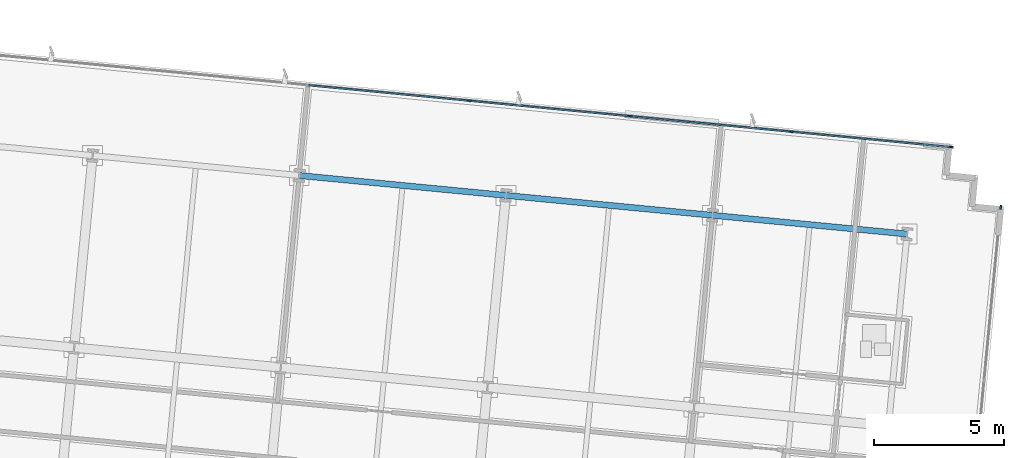
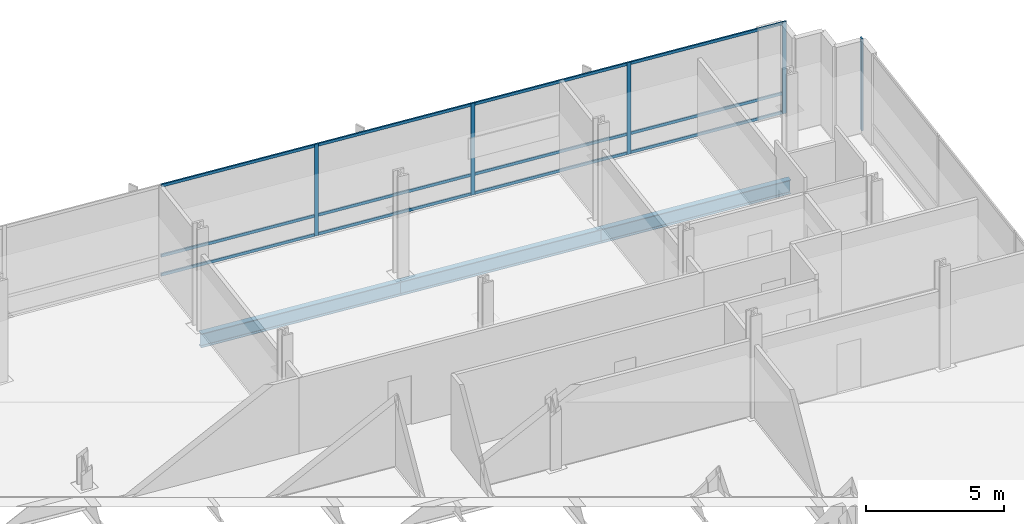
# One storey, part 9 of 17: 17 members, 3 beams, 2 elements without a shape of their own.
"""IFC4 building model written with IfcOpenShell, lengths in metres."""

from ifc_helpers import new_model, si_unit, direction, frame, origin, origin_2d, place, context, subcontext, project, spatial, rectangle, i_section, extrude, material, material_profile, profile_set, type_object, element, aggregate, save


model = new_model("IFC4")

# Units and contexts
model_context = context("Model", 3, precision=1e-05, world=origin(), true_north=direction((0.0, 1.0)))
body_context = subcontext(model_context, "Body", "Model", "MODEL_VIEW")
ifc_project = project(units=[si_unit("LENGTHUNIT", "METRE"), si_unit("AREAUNIT", "SQUARE_METRE"), si_unit("VOLUMEUNIT", "CUBIC_METRE"), si_unit("PLANEANGLEUNIT", "RADIAN"), si_unit("MASSUNIT", "GRAM", prefix="KILO")], contexts=[model_context])

# Site, building, storey
site_placement = place(None, origin())
site = spatial("IfcSite", under=ifc_project, at=site_placement, CompositionType="ELEMENT")
building_placement = place(site_placement, origin())
building = spatial("IfcBuilding", under=site, at=building_placement, Name="Solmavex Isthmus Hotel", CompositionType="ELEMENT")
storey_placement = place(building_placement, frame((0.0, 0.0, 181.800048828125)))
storey = spatial("IfcBuildingStorey", under=building, at=storey_placement, Name="L49", CompositionType="ELEMENT", Elevation=181.800048828125)

# Beams
ifc_material_1 = material(Name="Steel ASTM A992 Grade 50", Category="steel")
ifc_material_profile_1 = material_profile(ifc_material_1, i_section(OverallWidth=0.230224609375, OverallDepth=0.617431640625, WebThickness=0.01318359375, FlangeThickness=0.022216796875, FilletRadius=0.01513671875, at=origin_2d()), Name="W24X94")
ifc_profile_set_1 = profile_set([ifc_material_profile_1], Name="Steel ASTM A992 Grade 50")
beam_type = type_object("IfcBeamType", Name="BM-SP-W24X94", PredefinedType="SPANDREL", material=ifc_profile_set_1)
beam_1_placement = place(storey_placement, frame((1.276123046875, 18.72900390625, -0.56884765625), z_axis=(0.995397158178, -0.095835783981, 0.0), x_axis=(0.095835783981, 0.995397158178, 0.0)))
element("IfcBeam", 1, at=beam_1_placement, inside=storey, type_object=beam_type, Name="Floor Girder L49-UG18", PredefinedType="SPANDREL", context=body_context, shape_type="SweptSolid", body=[
    extrude(i_section(OverallWidth=0.230224609375, OverallDepth=0.617431640625, WebThickness=0.01318359375, FlangeThickness=0.022216796875, FilletRadius=0.01513671875, at=origin_2d()), origin(), (0.0, 0.0, 1.0), 7.955810546875),
])
beam_2_placement = place(storey_placement, frame((9.1953125, 17.966552734375, -0.56884765625), z_axis=(0.995397440011, -0.095832856685, 0.0), x_axis=(0.095832856685, 0.995397440011, 0.0)))
element("IfcBeam", 2, at=beam_2_placement, inside=storey, type_object=beam_type, Name="Floor Girder L49-UG19", PredefinedType="SPANDREL", context=body_context, shape_type="SweptSolid", body=[
    extrude(i_section(OverallWidth=0.230224609375, OverallDepth=0.617431640625, WebThickness=0.01318359375, FlangeThickness=0.022216796875, FilletRadius=0.01513671875, at=origin_2d()), origin(), (0.0, 0.0, 1.0), 7.9560546875),
])
beam_3_placement = place(storey_placement, frame((17.11474609375, 17.2041015625, -0.56884765625), z_axis=(0.995395279593, -0.095855293875, 0.0), x_axis=(0.095855293875, 0.995395279593, 0.0)))
element("IfcBeam", 3, at=beam_3_placement, inside=storey, type_object=beam_type, Name="Floor Girder L49-UG20", PredefinedType="SPANDREL", context=body_context, shape_type="SweptSolid", body=[
    extrude(i_section(OverallWidth=0.230224609375, OverallDepth=0.617431640625, WebThickness=0.01318359375, FlangeThickness=0.022216796875, FilletRadius=0.01513671875, at=origin_2d()), origin(), (0.0, 0.0, 1.0), 7.488037109375),
])

# Curtain wall, members
ifc_material_2 = material(Name="Aluminium alloy 6063-T6", Category="aluminium")
curtain_wall_type = type_object("IfcCurtainWallType", Name="CW-SYS-05", PredefinedType="NOTDEFINED", material=ifc_material_2)
curtain_wall_1_placement = place(storey_placement, origin())
curtain_wall_1 = element("IfcCurtainWall", 4, at=curtain_wall_1_placement, inside=storey, type_object=curtain_wall_type, Name="Stick Curtain Wall CWL-L49-N1", PredefinedType="NOTDEFINED")
ifc_material_profile_2 = material_profile(ifc_material_2, rectangle(XDim=0.06494140625, YDim=0.159912109375, at=origin_2d()), Name="CWM-65X160")
ifc_profile_set_2 = profile_set([ifc_material_profile_2], Name="Aluminium alloy 6063-T6")
member_type_1 = type_object("IfcMemberType", Name="CW-SYS-05-MUL", PredefinedType="MULLION", material=ifc_profile_set_2)
member_1_placement = place(storey_placement, frame((7.781005859375, 21.598876953125, 0.0), z_axis=(0.0, 0.0, 1.0), x_axis=(0.09584556901, 0.995396216037, 0.0)))
member_1 = element("IfcMember", 5, at=member_1_placement, type_object=member_type_1, Name="CW-05 mullion 6", PredefinedType="MULLION", context=body_context, shape_type="SweptSolid", body=[
    extrude(rectangle(XDim=0.06494140625, YDim=0.159912109375, at=origin_2d()), origin(), (0.0, 0.0, 1.0), 4.050048828125),
])
member_2_placement = place(storey_placement, frame((13.952392578125, 21.004638671875, 0.0), z_axis=(0.0, 0.0, 1.0), x_axis=(0.09584556901, 0.995396216037, 0.0)))
member_2 = element("IfcMember", 6, at=member_2_placement, type_object=member_type_1, Name="CW-05 mullion 7", PredefinedType="MULLION", context=body_context, shape_type="SweptSolid", body=[
    extrude(rectangle(XDim=0.06494140625, YDim=0.159912109375, at=origin_2d()), origin(), (0.0, 0.0, 1.0), 4.050048828125),
])
member_3_placement = place(storey_placement, frame((20.1240234375, 20.410400390625, 0.0), z_axis=(0.0, 0.0, 1.0), x_axis=(0.09584556901, 0.995396216037, 0.0)))
member_3 = element("IfcMember", 7, at=member_3_placement, type_object=member_type_1, Name="CW-05 mullion 8", PredefinedType="MULLION", context=body_context, shape_type="SweptSolid", body=[
    extrude(rectangle(XDim=0.06494140625, YDim=0.159912109375, at=origin_2d()), origin(), (0.0, 0.0, 1.0), 4.050048828125),
])
member_4_placement = place(storey_placement, frame((26.262939453125, 19.8193359375, 0.0), z_axis=(0.0, 0.0, 1.0), x_axis=(0.09584556901, 0.995396216037, 0.0)))
member_4 = element("IfcMember", 8, at=member_4_placement, type_object=member_type_1, Name="CW-05 mullion 9", PredefinedType="MULLION", context=body_context, shape_type="SweptSolid", body=[
    extrude(rectangle(XDim=0.06494140625, YDim=0.159912109375, at=origin_2d()), origin(), (0.0, 0.0, 1.0), 4.050048828125),
])

# Curtain wall, member
curtain_wall_2_placement = place(storey_placement, origin())
curtain_wall_2 = element("IfcCurtainWall", 9, at=curtain_wall_2_placement, inside=storey, type_object=curtain_wall_type, Name="Stick Curtain Wall CWL-L49-E1", PredefinedType="NOTDEFINED")
member_5_placement = place(storey_placement, frame((28.163330078125, 17.513916015625, 0.0), z_axis=(0.0, 0.0, 1.0), x_axis=(-0.995396190038, 0.09584583902, 0.0)))
member_5 = element("IfcMember", 10, at=member_5_placement, type_object=member_type_1, Name="CW-05 mullion 6", PredefinedType="MULLION", context=body_context, shape_type="SweptSolid", body=[
    extrude(rectangle(XDim=0.06494140625, YDim=0.159912109375, at=origin_2d()), origin(), (0.0, 0.0, 1.0), 4.050048828125),
])
aggregate(curtain_wall_2, [member_5])

# Member
ifc_material_profile_3 = material_profile(ifc_material_2, rectangle(XDim=0.06494140625, YDim=0.125, at=origin_2d()), Name="CWT-65X125")
ifc_profile_set_3 = profile_set([ifc_material_profile_3], Name="Aluminium alloy 6063-T6")
member_type_2 = type_object("IfcMemberType", Name="CW-SYS-05-TRN", PredefinedType="USERDEFINED", material=ifc_profile_set_3)
member_6_placement = place(storey_placement, frame((1.641845703125, 22.18994140625, 0.0625), z_axis=(0.995398378252, -0.095823110851, 0.0), x_axis=(0.095823110851, 0.995398378252, 0.0)))
member_6 = element("IfcMember", 11, at=member_6_placement, type_object=member_type_2, Name="CW-05 transom 5.1", ObjectType="TRANSOM", PredefinedType="USERDEFINED", context=body_context, shape_type="SweptSolid", body=[
    extrude(rectangle(XDim=0.06494140625, YDim=0.125, at=origin_2d()), origin(), (0.0, 0.0, 1.0), 6.13525390625),
])

member_7_placement = place(storey_placement, frame((1.641845703125, 22.18994140625, 0.89990234375), z_axis=(0.995398378252, -0.095823110851, 0.0), x_axis=(0.095823110851, 0.995398378252, 0.0)))
member_7 = element("IfcMember", 12, at=member_7_placement, type_object=member_type_2, Name="CW-05 transom 5.2", ObjectType="TRANSOM", PredefinedType="USERDEFINED", context=body_context, shape_type="SweptSolid", body=[
    extrude(rectangle(XDim=0.06494140625, YDim=0.125, at=origin_2d()), origin(), (0.0, 0.0, 1.0), 6.13525390625),
])

member_8_placement = place(storey_placement, frame((1.641845703125, 22.18994140625, 3.987548828125), z_axis=(0.995398378252, -0.095823110851, 0.0), x_axis=(0.095823110851, 0.995398378252, 0.0)))
member_8 = element("IfcMember", 13, at=member_8_placement, type_object=member_type_2, Name="CW-05 transom 5.3", ObjectType="TRANSOM", PredefinedType="USERDEFINED", context=body_context, shape_type="SweptSolid", body=[
    extrude(rectangle(XDim=0.06494140625, YDim=0.125, at=origin_2d()), origin(), (0.0, 0.0, 1.0), 6.13525390625),
])

member_9_placement = place(storey_placement, frame((7.8134765625, 21.595703125, 0.0625), z_axis=(0.995398012842, -0.095826906606, 0.0), x_axis=(0.095826906606, 0.995398012842, 0.0)))
member_9 = element("IfcMember", 14, at=member_9_placement, type_object=member_type_2, Name="CW-05 transom 6.1", ObjectType="TRANSOM", PredefinedType="USERDEFINED", context=body_context, shape_type="SweptSolid", body=[
    extrude(rectangle(XDim=0.06494140625, YDim=0.125, at=origin_2d()), origin(), (0.0, 0.0, 1.0), 6.135009765625),
])

member_10_placement = place(storey_placement, frame((7.8134765625, 21.595703125, 0.89990234375), z_axis=(0.995398012842, -0.095826906606, 0.0), x_axis=(0.095826906606, 0.995398012842, 0.0)))
member_10 = element("IfcMember", 15, at=member_10_placement, type_object=member_type_2, Name="CW-05 transom 6.2", ObjectType="TRANSOM", PredefinedType="USERDEFINED", context=body_context, shape_type="SweptSolid", body=[
    extrude(rectangle(XDim=0.06494140625, YDim=0.125, at=origin_2d()), origin(), (0.0, 0.0, 1.0), 6.135009765625),
])

member_11_placement = place(storey_placement, frame((7.8134765625, 21.595703125, 3.987548828125), z_axis=(0.995398012842, -0.095826906606, 0.0), x_axis=(0.095826906606, 0.995398012842, 0.0)))
member_11 = element("IfcMember", 16, at=member_11_placement, type_object=member_type_2, Name="CW-05 transom 6.3", ObjectType="TRANSOM", PredefinedType="USERDEFINED", context=body_context, shape_type="SweptSolid", body=[
    extrude(rectangle(XDim=0.06494140625, YDim=0.125, at=origin_2d()), origin(), (0.0, 0.0, 1.0), 6.135009765625),
])

member_12_placement = place(storey_placement, frame((13.98486328125, 21.00146484375, 0.0625), z_axis=(0.995398012842, -0.095826906606, 0.0), x_axis=(0.095826906606, 0.995398012842, 0.0)))
member_12 = element("IfcMember", 17, at=member_12_placement, type_object=member_type_2, Name="CW-05 transom 7.1", ObjectType="TRANSOM", PredefinedType="USERDEFINED", context=body_context, shape_type="SweptSolid", body=[
    extrude(rectangle(XDim=0.06494140625, YDim=0.125, at=origin_2d()), origin(), (0.0, 0.0, 1.0), 6.135009765625),
])

member_13_placement = place(storey_placement, frame((13.98486328125, 21.00146484375, 0.89990234375), z_axis=(0.995398012842, -0.095826906606, 0.0), x_axis=(0.095826906606, 0.995398012842, 0.0)))
member_13 = element("IfcMember", 18, at=member_13_placement, type_object=member_type_2, Name="CW-05 transom 7.2", ObjectType="TRANSOM", PredefinedType="USERDEFINED", context=body_context, shape_type="SweptSolid", body=[
    extrude(rectangle(XDim=0.06494140625, YDim=0.125, at=origin_2d()), origin(), (0.0, 0.0, 1.0), 6.135009765625),
])

member_14_placement = place(storey_placement, frame((13.98486328125, 21.00146484375, 3.987548828125), z_axis=(0.995398012842, -0.095826906606, 0.0), x_axis=(0.095826906606, 0.995398012842, 0.0)))
member_14 = element("IfcMember", 19, at=member_14_placement, type_object=member_type_2, Name="CW-05 transom 7.3", ObjectType="TRANSOM", PredefinedType="USERDEFINED", context=body_context, shape_type="SweptSolid", body=[
    extrude(rectangle(XDim=0.06494140625, YDim=0.125, at=origin_2d()), origin(), (0.0, 0.0, 1.0), 6.135009765625),
])

member_15_placement = place(storey_placement, frame((20.15625, 20.4072265625, 0.0625), z_axis=(0.995395312101, -0.095854956304, 0.0), x_axis=(0.095854956304, 0.995395312101, 0.0)))
member_15 = element("IfcMember", 20, at=member_15_placement, type_object=member_type_2, Name="CW-05 transom 8.1", ObjectType="TRANSOM", PredefinedType="USERDEFINED", context=body_context, shape_type="SweptSolid", body=[
    extrude(rectangle(XDim=0.06494140625, YDim=0.125, at=origin_2d()), origin(), (0.0, 0.0, 1.0), 6.1025390625),
])

member_16_placement = place(storey_placement, frame((20.15625, 20.4072265625, 0.89990234375), z_axis=(0.995395312101, -0.095854956304, 0.0), x_axis=(0.095854956304, 0.995395312101, 0.0)))
member_16 = element("IfcMember", 21, at=member_16_placement, type_object=member_type_2, Name="CW-05 transom 8.2", ObjectType="TRANSOM", PredefinedType="USERDEFINED", context=body_context, shape_type="SweptSolid", body=[
    extrude(rectangle(XDim=0.06494140625, YDim=0.125, at=origin_2d()), origin(), (0.0, 0.0, 1.0), 6.1025390625),
])

member_17_placement = place(storey_placement, frame((20.15625, 20.4072265625, 3.987548828125), z_axis=(0.995395312101, -0.095854956304, 0.0), x_axis=(0.095854956304, 0.995395312101, 0.0)))
member_17 = element("IfcMember", 22, at=member_17_placement, type_object=member_type_2, Name="CW-05 transom 8.3", ObjectType="TRANSOM", PredefinedType="USERDEFINED", context=body_context, shape_type="SweptSolid", body=[
    extrude(rectangle(XDim=0.06494140625, YDim=0.125, at=origin_2d()), origin(), (0.0, 0.0, 1.0), 6.1025390625),
])

aggregate(curtain_wall_1, [member_1, member_2, member_3, member_4, member_6, member_7, member_8, member_9, member_10, member_11, member_12, member_13, member_14, member_15, member_16, member_17])

save(model, "model.ifc")
